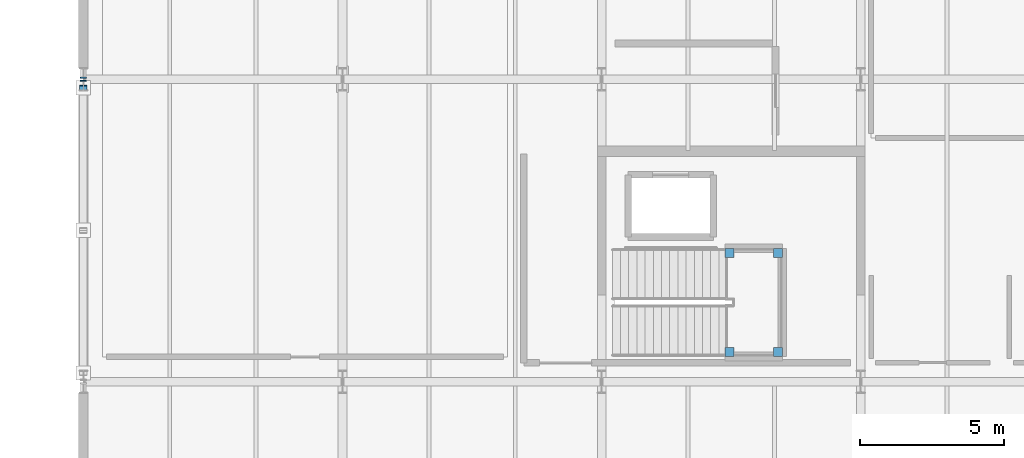
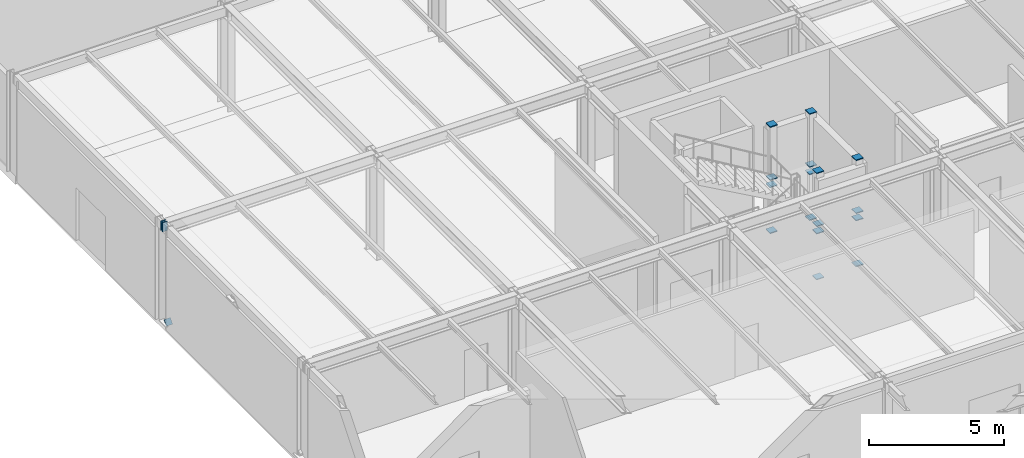
# One storey, part 126 of 160: 19 discrete accessories.
"""IFC4 building model written with IfcOpenShell, lengths in metres."""

from ifc_helpers import new_model, si_unit, direction, frame, origin, origin_2d, place, context, subcontext, project, spatial, rectangle, extrude, material, element, save


model = new_model("IFC4")

# Units and contexts
model_context = context("Model", 3, precision=1e-05, world=origin(), true_north=direction((0.0, 1.0)))
body_context = subcontext(model_context, "Body", "Model", "MODEL_VIEW")
ifc_project = project(units=[si_unit("LENGTHUNIT", "METRE"), si_unit("AREAUNIT", "SQUARE_METRE"), si_unit("VOLUMEUNIT", "CUBIC_METRE"), si_unit("PLANEANGLEUNIT", "RADIAN"), si_unit("MASSUNIT", "GRAM", prefix="KILO")], contexts=[model_context])

# Site, building, storey
site_placement = place(None, origin())
site = spatial("IfcSite", under=ifc_project, at=site_placement, CompositionType="ELEMENT")
building_placement = place(site_placement, origin())
building = spatial("IfcBuilding", under=site, at=building_placement, Name="Marlcrest Central Station", CompositionType="ELEMENT")
storey_placement = place(building_placement, origin())
storey = spatial("IfcBuildingStorey", under=building, at=storey_placement, Name="L00", CompositionType="ELEMENT", Elevation=0.0)

# Discrete accessories
ifc_material = material(Name="Steel S355", Category="steel")
for number, where, z_axis, x_axis, name in (
    (1, (0.0, 120.925048828125, 4.409912109375), (0.0, 1.0, 0.0), (-1.0, 0.0, 0.0), "endcap-bm-SP-01-L00-00141-e"),
    (2, (0.0, 121.03515625, 4.409912109375), (0.0, 1.0, 0.0), (-1.0, 0.0, 0.0), "endcap-bm-SP-01-L00-00142-s"),
):
    element("IfcDiscreteAccessory", number, at=place(storey_placement, frame(where, z_axis=z_axis, x_axis=x_axis)), inside=storey, material=ifc_material, Name=name, ObjectType="END_CAP_PLATE", PredefinedType="BRACKET", context=body_context, shape_type="SweptSolid", body=[
        extrude(rectangle(XDim=0.216064453125, YDim=0.416015625, at=origin_2d()), origin(), (0.0, 0.0, 1.0), 0.0400390625),
    ])
discrete_accessory_placement = place(storey_placement, frame((0.0, 120.71142578125, 0.240478515625), z_axis=(0.0, -0.769355341614, 0.638821069103), x_axis=(1.0, 0.0, 0.0)))
element("IfcDiscreteAccessory", 3, at=discrete_accessory_placement, inside=storey, material=ifc_material, Name="endcap-mem-BF-02-L00-00002-s", ObjectType="END_CAP_PLATE", PredefinedType="BRACKET", context=body_context, shape_type="SweptSolid", body=[
    extrude(rectangle(XDim=0.26611328125, YDim=0.26611328125, at=origin_2d()), origin(), (0.0, 0.0, 1.0), 0.0400390625),
])
for number, where, z_axis, x_axis, name in (
    (4, (22.43994140625, 111.530029296875, -0.014892578125), (0.0, 0.0, 1.0), (1.0, 0.0, 0.0), "endcap-htcol-lo-0044-0-s"),
    (5, (22.43994140625, 111.530029296875, 2.05517578125), (0.0, 0.0, 1.0), (1.0, 0.0, 0.0), "endcap-htcol-lo-0044-0-e"),
    (6, (22.43994140625, 111.530029296875, 2.385009765625), (0.0, 0.0, 1.0), (1.0, 0.0, 0.0), "endcap-htcol-hi-0044-0-s"),
    (7, (22.43994140625, 111.530029296875, 4.775146484375), (0.0, 0.0, 1.0), (1.0, 0.0, 0.0), "endcap-htcol-hi-0044-0-e"),
    (8, (24.1201171875, 111.530029296875, -0.014892578125), (0.0, 0.0, 1.0), (1.0, 0.0, 0.0), "endcap-htcol-lo-0044-1-s"),
    (9, (24.1201171875, 111.530029296875, 2.05517578125), (0.0, 0.0, 1.0), (1.0, 0.0, 0.0), "endcap-htcol-lo-0044-1-e"),
    (10, (24.1201171875, 111.530029296875, 2.385009765625), (0.0, 0.0, 1.0), (1.0, 0.0, 0.0), "endcap-htcol-hi-0044-1-s"),
    (11, (24.1201171875, 111.530029296875, 4.775146484375), (0.0, 0.0, 1.0), (1.0, 0.0, 0.0), "endcap-htcol-hi-0044-1-e"),
    (12, (24.1201171875, 114.969970703125, -0.014892578125), (0.0, 0.0, 1.0), (1.0, 0.0, 0.0), "endcap-htcol-lo-0044-2-s"),
    (13, (24.1201171875, 114.969970703125, 2.05517578125), (0.0, 0.0, 1.0), (1.0, 0.0, 0.0), "endcap-htcol-lo-0044-2-e"),
    (14, (24.1201171875, 114.969970703125, 2.385009765625), (0.0, 0.0, 1.0), (1.0, 0.0, 0.0), "endcap-htcol-hi-0044-2-s"),
    (15, (24.1201171875, 114.969970703125, 4.775146484375), (0.0, 0.0, 1.0), (1.0, 0.0, 0.0), "endcap-htcol-hi-0044-2-e"),
    (16, (22.43994140625, 114.969970703125, -0.014892578125), (0.0, 0.0, 1.0), (1.0, 0.0, 0.0), "endcap-htcol-lo-0044-3-s"),
    (17, (22.43994140625, 114.969970703125, 2.05517578125), (0.0, 0.0, 1.0), (1.0, 0.0, 0.0), "endcap-htcol-lo-0044-3-e"),
    (18, (22.43994140625, 114.969970703125, 2.385009765625), (0.0, 0.0, 1.0), (1.0, 0.0, 0.0), "endcap-htcol-hi-0044-3-s"),
    (19, (22.43994140625, 114.969970703125, 4.775146484375), (0.0, 0.0, 1.0), (1.0, 0.0, 0.0), "endcap-htcol-hi-0044-3-e"),
):
    element("IfcDiscreteAccessory", number, at=place(storey_placement, frame(where, z_axis=z_axis, x_axis=x_axis)), inside=storey, material=ifc_material, Name=name, ObjectType="END_CAP_PLATE", PredefinedType="BRACKET", context=body_context, shape_type="SweptSolid", body=[
        extrude(rectangle(XDim=0.31591796875, YDim=0.31591796875, at=origin_2d()), origin(), (0.0, 0.0, 1.0), 0.0400390625),
    ])

save(model, "model.ifc")
